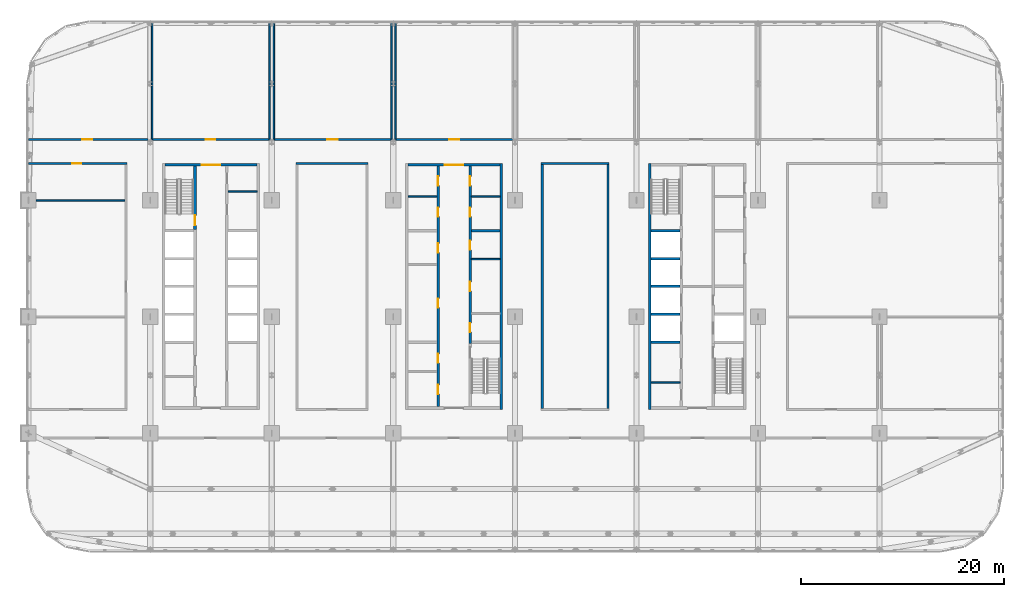
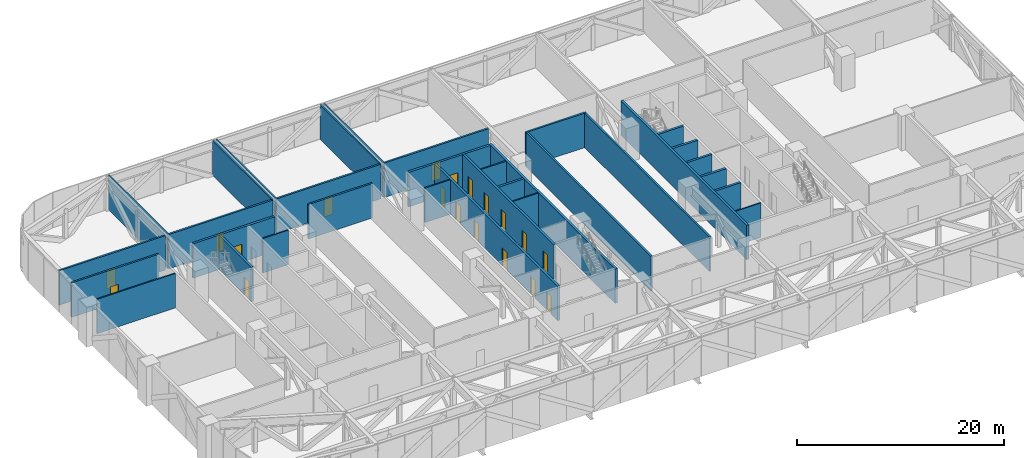
# One storey, part 11 of 26: 33 walls, 19 doors, 19 openings.
"""IFC4 building model written with IfcOpenShell, lengths in metres."""

from ifc_helpers import new_model, si_unit, direction, frame, frame_2d, origin, place, context, subcontext, project, spatial, rectangle, extrude, material, layer, layer_set, type_object, element, fill, save


model = new_model("IFC4")

# Units and contexts
model_context = context("Model", 3, precision=1e-05, world=origin(), true_north=direction((0.0, 1.0)))
body_context = subcontext(model_context, "Body", "Model", "MODEL_VIEW")
ifc_project = project(units=[si_unit("LENGTHUNIT", "METRE"), si_unit("AREAUNIT", "SQUARE_METRE"), si_unit("VOLUMEUNIT", "CUBIC_METRE"), si_unit("PLANEANGLEUNIT", "RADIAN"), si_unit("MASSUNIT", "GRAM", prefix="KILO")], contexts=[model_context])

# Site, building, storey
site_placement = place(None, origin())
site = spatial("IfcSite", under=ifc_project, at=site_placement, CompositionType="ELEMENT")
building_placement = place(site_placement, origin())
building = spatial("IfcBuilding", under=site, at=building_placement, Name="Mahtab Terrace Research Tower", CompositionType="ELEMENT")
storey_placement = place(building_placement, frame((0.0, 0.0, 80.39990234375)))
storey = spatial("IfcBuildingStorey", under=building, at=storey_placement, Name="L18", CompositionType="ELEMENT", Elevation=80.39990234375)

# Walls
ifc_material_1 = material(Name="Gypsum board partition")
ifc_layer_1 = layer(ifc_material_1, 0.14990234375)
ifc_layer_set_1 = layer_set([ifc_layer_1], Name="Core partition 150")
wall_type_1 = type_object("IfcWallType", Name="Core partition 150", PredefinedType="PARTITIONING", material=ifc_layer_set_1)
for number, where, z_axis, x_axis, name in (
    (1, (-22.300048828125, 12.35498046875, 0.0), (0.0, 0.0, 1.0), (1.0, 0.0, 0.0), "Core wall A pEN936"),
    (2, (1.699951171875, 5.6875, 0.0), (0.0, 0.0, 1.0), (1.0, 0.0, 0.0), "Core wall B pEL269"),
    (3, (-4.550048828125, 11.875, 0.0), (0.0, 0.0, 1.0), (1.0, 0.0, 0.0), "Core wall B pWN888"),
    (4, (1.699951171875, 11.875, 0.0), (0.0, 0.0, 1.0), (1.0, 0.0, 0.0), "Core wall B pEN888"),
    (5, (19.449951171875, -6.47509765625, 0.0), (0.0, 0.0, 1.0), (1.0, 0.0, 0.0), "Core wall C pWS-948"),
):
    element("IfcWall", number, at=place(storey_placement, frame(where, z_axis=z_axis, x_axis=x_axis)), inside=storey, type_object=wall_type_1, Name=name, PredefinedType="PARTITIONING", context=body_context, shape_type="SweptSolid", body=[
        extrude(rectangle(XDim=2.85009765625, YDim=0.14990234375, at=frame_2d((1.425048828125, 0.0))), origin(), (0.0, 0.0, 1.0), 4.06005859375),
    ])

# Wall, opening, door
ifc_material_2 = material(Name="Concrete C70/85", Category="concrete")
ifc_layer_2 = layer(ifc_material_2, 0.25)
ifc_layer_set_2 = layer_set([ifc_layer_2], Name="Core wall 250")
wall_type_2 = type_object("IfcWallType", Name="Core wall 250", PredefinedType="SOLIDWALL", material=ifc_layer_set_2)
wall_1_placement = place(storey_placement, frame((-28.550048828125, 15.0, 0.0), z_axis=(0.0, 0.0, 1.0), x_axis=(1.0, 0.0, 0.0)))
wall_1 = element("IfcWall", 6, at=wall_1_placement, inside=storey, type_object=wall_type_2, Name="Core wall A endN", PredefinedType="SOLIDWALL", context=body_context, shape_type="SweptSolid", body=[
    extrude(rectangle(XDim=9.10009765625, YDim=0.25, at=frame_2d((4.550048828125, 0.0))), origin(), (0.0, 0.0, 1.0), 4.06005859375),
])
opening_1_placement = place(wall_1_placement, frame((3.64990234375, 0.0, 0.0)))
opening_1 = element("IfcOpeningElement", 7, at=opening_1_placement, cuts=wall_1, Name="Opening A-N1", PredefinedType="OPENING", context=body_context, shape_type="SweptSolid", body=[
    extrude(rectangle(XDim=1.800048828125, YDim=2.10009765625, at=frame_2d((0.89990234375, 1.050048828125))), frame((0.0, 0.135009765625, 0.0), z_axis=(0.0, -1.0, 0.0), x_axis=(1.0, 0.0, 0.0)), (0.0, 0.0, 1.0), 0.27001953125),
])
ifc_material_3 = material(Name="Steel fire door", Category="steel")
door_type_1 = type_object("IfcDoorType", Name="Lobby double door 1800x2100 1 HR", OperationType="DOUBLE_DOOR_SINGLE_SWING", PredefinedType="DOOR", material=ifc_material_3)
door_1_placement = place(opening_1_placement, origin())
door_1 = element("IfcDoor", 8, at=door_1_placement, inside=storey, type_object=door_type_1, Name="Core entrance door A N", OperationType="DOUBLE_DOOR_SINGLE_SWING", OverallHeight=2.10009765625, OverallWidth=1.800048828125, PredefinedType="DOOR", context=body_context, shape_type="SweptSolid", body=[
    extrude(rectangle(XDim=1.800048828125, YDim=2.10009765625, at=frame_2d((0.89990234375, 1.050048828125))), frame((0.0, 0.02490234375, 0.0), z_axis=(0.0, -1.0, 0.0), x_axis=(1.0, 0.0, 0.0)), (0.0, 0.0, 1.0), 0.050048828125),
])
fill(opening_1, door_1)

wall_2_placement = place(storey_placement, frame((-25.574951171875, 14.875, 0.0), z_axis=(0.0, 0.0, 1.0), x_axis=(0.0, -1.0, 0.0)))
wall_2 = element("IfcWall", 9, at=wall_2_placement, inside=storey, type_object=wall_type_2, Name="Core wall A innerWN", PredefinedType="SOLIDWALL", context=body_context, shape_type="SweptSolid", body=[
    extrude(rectangle(XDim=6.25, YDim=0.25, at=frame_2d((3.125, 0.0))), origin(), (0.0, 0.0, 1.0), 4.06005859375),
])
opening_2_placement = place(wall_2_placement, frame((4.85009765625, 0.0, 0.0)))
opening_2 = element("IfcOpeningElement", 10, at=opening_2_placement, cuts=wall_2, Name="Opening A-ST1", PredefinedType="OPENING", context=body_context, shape_type="SweptSolid", body=[
    extrude(rectangle(XDim=1.0, YDim=2.10009765625, at=frame_2d((0.5, 1.050048828125))), frame((0.0, 0.135009765625, 0.0), z_axis=(0.0, -1.0, 0.0), x_axis=(1.0, 0.0, 0.0)), (0.0, 0.0, 1.0), 0.27001953125),
])
door_type_2 = type_object("IfcDoorType", Name="Stair door 1000x2100 1.5 HR", OperationType="NOTDEFINED", PredefinedType="DOOR", material=ifc_material_3)
door_2_placement = place(opening_2_placement, origin())
door_2 = element("IfcDoor", 11, at=door_2_placement, inside=storey, type_object=door_type_2, Name="Stair door ST1 L18", OperationType="SINGLE_SWING_RIGHT", OverallHeight=2.10009765625, OverallWidth=1.0, PredefinedType="DOOR", context=body_context, shape_type="SweptSolid", body=[
    extrude(rectangle(XDim=1.0, YDim=2.10009765625, at=frame_2d((0.5, 1.050048828125))), frame((0.0, 0.02490234375, 0.0), z_axis=(0.0, -1.0, 0.0), x_axis=(1.0, 0.0, 0.0)), (0.0, 0.0, 1.0), 0.050048828125),
])
fill(opening_2, door_2)

# Wall
wall_3_placement = place(storey_placement, frame((4.675048828125, -9.125, 0.0), z_axis=(0.0, 0.0, 1.0), x_axis=(0.0, 1.0, 0.0)))
element("IfcWall", 12, at=wall_3_placement, inside=storey, type_object=wall_type_2, Name="Core wall B outerE", PredefinedType="SOLIDWALL", context=body_context, shape_type="SweptSolid", body=[
    extrude(rectangle(XDim=24.25, YDim=0.25, at=frame_2d((12.125, 0.0))), origin(), (0.0, 0.0, 1.0), 4.06005859375),
])

# Wall, opening, door
wall_4_placement = place(storey_placement, frame((-4.550048828125, 15.0, 0.0), z_axis=(0.0, 0.0, 1.0), x_axis=(1.0, 0.0, 0.0)))
wall_4 = element("IfcWall", 13, at=wall_4_placement, inside=storey, type_object=wall_type_2, Name="Core wall B endN", PredefinedType="SOLIDWALL", context=body_context, shape_type="SweptSolid", body=[
    extrude(rectangle(XDim=9.10009765625, YDim=0.25, at=frame_2d((4.550048828125, 0.0))), origin(), (0.0, 0.0, 1.0), 4.06005859375),
])
opening_3_placement = place(wall_4_placement, frame((3.64990234375, 0.0, 0.0)))
opening_3 = element("IfcOpeningElement", 14, at=opening_3_placement, cuts=wall_4, Name="Opening B-N1", PredefinedType="OPENING", context=body_context, shape_type="SweptSolid", body=[
    extrude(rectangle(XDim=1.800048828125, YDim=2.10009765625, at=frame_2d((0.89990234375, 1.050048828125))), frame((0.0, 0.135009765625, 0.0), z_axis=(0.0, -1.0, 0.0), x_axis=(1.0, 0.0, 0.0)), (0.0, 0.0, 1.0), 0.27001953125),
])
door_3_placement = place(opening_3_placement, origin())
door_3 = element("IfcDoor", 15, at=door_3_placement, inside=storey, type_object=door_type_1, Name="Core entrance door B N", OperationType="DOUBLE_DOOR_SINGLE_SWING", OverallHeight=2.10009765625, OverallWidth=1.800048828125, PredefinedType="DOOR", context=body_context, shape_type="SweptSolid", body=[
    extrude(rectangle(XDim=1.800048828125, YDim=2.10009765625, at=frame_2d((0.89990234375, 1.050048828125))), frame((0.0, 0.02490234375, 0.0), z_axis=(0.0, -1.0, 0.0), x_axis=(1.0, 0.0, 0.0)), (0.0, 0.0, 1.0), 0.050048828125),
])
fill(opening_3, door_3)

# Wall, openings, doors
wall_5_placement = place(storey_placement, frame((-1.574951171875, -8.875, 0.0), z_axis=(0.0, 0.0, 1.0), x_axis=(0.0, 1.0, 0.0)))
wall_5 = element("IfcWall", 16, at=wall_5_placement, inside=storey, type_object=wall_type_2, Name="Core wall B innerWSLN", PredefinedType="SOLIDWALL", context=body_context, shape_type="SweptSolid", body=[
    extrude(rectangle(XDim=23.75, YDim=0.25, at=frame_2d((11.875, 0.0))), origin(), (0.0, 0.0, 1.0), 4.06005859375),
])
opening_4_placement = place(wall_5_placement, frame((9.77490234375, 0.0, 0.0)))
opening_4 = element("IfcOpeningElement", 17, at=opening_4_placement, cuts=wall_5, Name="Opening B-R1", PredefinedType="OPENING", context=body_context, shape_type="SweptSolid", body=[
    extrude(rectangle(XDim=0.89990234375, YDim=2.10009765625, at=frame_2d((0.449951171875, 1.050048828125))), frame((0.0, 0.135009765625, 0.0), z_axis=(0.0, -1.0, 0.0), x_axis=(1.0, 0.0, 0.0)), (0.0, 0.0, 1.0), 0.27001953125),
])
opening_5_placement = place(wall_5_placement, frame((15.22509765625, 0.0, 0.0)))
opening_5 = element("IfcOpeningElement", 18, at=opening_5_placement, cuts=wall_5, Name="Opening B-R2", PredefinedType="OPENING", context=body_context, shape_type="SweptSolid", body=[
    extrude(rectangle(XDim=0.89990234375, YDim=2.10009765625, at=frame_2d((0.449951171875, 1.050048828125))), frame((0.0, 0.135009765625, 0.0), z_axis=(0.0, -1.0, 0.0), x_axis=(1.0, 0.0, 0.0)), (0.0, 0.0, 1.0), 0.27001953125),
])
opening_6_placement = place(wall_5_placement, frame((1.25244140625, 0.0, 0.0)))
opening_6 = element("IfcOpeningElement", 19, at=opening_6_placement, cuts=wall_5, Name="Opening B-R6", PredefinedType="OPENING", context=body_context, shape_type="SweptSolid", body=[
    extrude(rectangle(XDim=0.89990234375, YDim=2.10009765625, at=frame_2d((0.449951171875, 1.050048828125))), frame((0.0, 0.135009765625, 0.0), z_axis=(0.0, -1.0, 0.0), x_axis=(1.0, 0.0, 0.0)), (0.0, 0.0, 1.0), 0.27001953125),
])
opening_7_placement = place(wall_5_placement, frame((4.327392578125, 0.0, 0.0)))
opening_7 = element("IfcOpeningElement", 20, at=opening_7_placement, cuts=wall_5, Name="Opening B-R7", PredefinedType="OPENING", context=body_context, shape_type="SweptSolid", body=[
    extrude(rectangle(XDim=0.89990234375, YDim=2.10009765625, at=frame_2d((0.449951171875, 1.050048828125))), frame((0.0, 0.135009765625, 0.0), z_axis=(0.0, -1.0, 0.0), x_axis=(1.0, 0.0, 0.0)), (0.0, 0.0, 1.0), 0.27001953125),
])
opening_8_placement = place(wall_5_placement, frame((18.762451171875, 0.0, 0.0)))
opening_8 = element("IfcOpeningElement", 21, at=opening_8_placement, cuts=wall_5, Name="Opening B-R8", PredefinedType="OPENING", context=body_context, shape_type="SweptSolid", body=[
    extrude(rectangle(XDim=0.89990234375, YDim=2.10009765625, at=frame_2d((0.449951171875, 1.050048828125))), frame((0.0, 0.135009765625, 0.0), z_axis=(0.0, -1.0, 0.0), x_axis=(1.0, 0.0, 0.0)), (0.0, 0.0, 1.0), 0.27001953125),
])
opening_9_placement = place(wall_5_placement, frame((21.83740234375, 0.0, 0.0)))
opening_9 = element("IfcOpeningElement", 22, at=opening_9_placement, cuts=wall_5, Name="Opening B-R9", PredefinedType="OPENING", context=body_context, shape_type="SweptSolid", body=[
    extrude(rectangle(XDim=0.89990234375, YDim=2.10009765625, at=frame_2d((0.449951171875, 1.050048828125))), frame((0.0, 0.135009765625, 0.0), z_axis=(0.0, -1.0, 0.0), x_axis=(1.0, 0.0, 0.0)), (0.0, 0.0, 1.0), 0.27001953125),
])
door_type_3 = type_object("IfcDoorType", Name="Room door 900x2100 1 HR", OperationType="NOTDEFINED", PredefinedType="DOOR", material=ifc_material_3)
door_4_placement = place(opening_4_placement, origin())
door_4 = element("IfcDoor", 23, at=door_4_placement, inside=storey, type_object=door_type_3, Name="Chemical store door", OperationType="SINGLE_SWING_LEFT", OverallHeight=2.10009765625, OverallWidth=0.89990234375, PredefinedType="DOOR", context=body_context, shape_type="SweptSolid", body=[
    extrude(rectangle(XDim=0.89990234375, YDim=2.10009765625, at=frame_2d((0.449951171875, 1.050048828125))), frame((0.0, 0.02490234375, 0.0), z_axis=(0.0, -1.0, 0.0), x_axis=(1.0, 0.0, 0.0)), (0.0, 0.0, 1.0), 0.050048828125),
])
fill(opening_4, door_4)
door_5_placement = place(opening_5_placement, origin())
door_5 = element("IfcDoor", 24, at=door_5_placement, inside=storey, type_object=door_type_3, Name="Waste room door", OperationType="SINGLE_SWING_RIGHT", OverallHeight=2.10009765625, OverallWidth=0.89990234375, PredefinedType="DOOR", context=body_context, shape_type="SweptSolid", body=[
    extrude(rectangle(XDim=0.89990234375, YDim=2.10009765625, at=frame_2d((0.449951171875, 1.050048828125))), frame((0.0, 0.02490234375, 0.0), z_axis=(0.0, -1.0, 0.0), x_axis=(1.0, 0.0, 0.0)), (0.0, 0.0, 1.0), 0.050048828125),
])
fill(opening_5, door_5)
door_6_placement = place(opening_6_placement, origin())
door_6 = element("IfcDoor", 25, at=door_6_placement, inside=storey, type_object=door_type_3, Name="Pantry door", OperationType="SINGLE_SWING_RIGHT", OverallHeight=2.10009765625, OverallWidth=0.89990234375, PredefinedType="DOOR", context=body_context, shape_type="SweptSolid", body=[
    extrude(rectangle(XDim=0.89990234375, YDim=2.10009765625, at=frame_2d((0.449951171875, 1.050048828125))), frame((0.0, 0.02490234375, 0.0), z_axis=(0.0, -1.0, 0.0), x_axis=(1.0, 0.0, 0.0)), (0.0, 0.0, 1.0), 0.050048828125),
])
fill(opening_6, door_6)
door_7_placement = place(opening_7_placement, origin())
door_7 = element("IfcDoor", 26, at=door_7_placement, inside=storey, type_object=door_type_3, Name="Linen store door", OperationType="SINGLE_SWING_LEFT", OverallHeight=2.10009765625, OverallWidth=0.89990234375, PredefinedType="DOOR", context=body_context, shape_type="SweptSolid", body=[
    extrude(rectangle(XDim=0.89990234375, YDim=2.10009765625, at=frame_2d((0.449951171875, 1.050048828125))), frame((0.0, 0.02490234375, 0.0), z_axis=(0.0, -1.0, 0.0), x_axis=(1.0, 0.0, 0.0)), (0.0, 0.0, 1.0), 0.050048828125),
])
fill(opening_7, door_7)
door_8_placement = place(opening_8_placement, origin())
door_8 = element("IfcDoor", 27, at=door_8_placement, inside=storey, type_object=door_type_3, Name="Housekeeping store door", OperationType="SINGLE_SWING_RIGHT", OverallHeight=2.10009765625, OverallWidth=0.89990234375, PredefinedType="DOOR", context=body_context, shape_type="SweptSolid", body=[
    extrude(rectangle(XDim=0.89990234375, YDim=2.10009765625, at=frame_2d((0.449951171875, 1.050048828125))), frame((0.0, 0.02490234375, 0.0), z_axis=(0.0, -1.0, 0.0), x_axis=(1.0, 0.0, 0.0)), (0.0, 0.0, 1.0), 0.050048828125),
])
fill(opening_8, door_8)
door_9_placement = place(opening_9_placement, origin())
door_9 = element("IfcDoor", 28, at=door_9_placement, inside=storey, type_object=door_type_3, Name="Electrical riser room door", OperationType="SINGLE_SWING_LEFT", OverallHeight=2.10009765625, OverallWidth=0.89990234375, PredefinedType="DOOR", context=body_context, shape_type="SweptSolid", body=[
    extrude(rectangle(XDim=0.89990234375, YDim=2.10009765625, at=frame_2d((0.449951171875, 1.050048828125))), frame((0.0, 0.02490234375, 0.0), z_axis=(0.0, -1.0, 0.0), x_axis=(1.0, 0.0, 0.0)), (0.0, 0.0, 1.0), 0.050048828125),
])
fill(opening_9, door_9)

wall_6_placement = place(storey_placement, frame((1.574951171875, 14.875, 0.0), z_axis=(0.0, 0.0, 1.0), x_axis=(0.0, -1.0, 0.0)))
wall_6 = element("IfcWall", 29, at=wall_6_placement, inside=storey, type_object=wall_type_2, Name="Core wall B innerELN", PredefinedType="SOLIDWALL", context=body_context, shape_type="SweptSolid", body=[
    extrude(rectangle(XDim=17.5, YDim=0.25, at=frame_2d((8.75, 0.0))), origin(), (0.0, 0.0, 1.0), 4.06005859375),
])
opening_10_placement = place(wall_6_placement, frame((15.493896484375, 0.0, 0.0)))
opening_10 = element("IfcOpeningElement", 30, at=opening_10_placement, cuts=wall_6, Name="Opening B-R3", PredefinedType="OPENING", context=body_context, shape_type="SweptSolid", body=[
    extrude(rectangle(XDim=0.89990234375, YDim=2.10009765625, at=frame_2d((0.449951171875, 1.050048828125))), frame((0.0, 0.135009765625, 0.0), z_axis=(0.0, -1.0, 0.0), x_axis=(1.0, 0.0, 0.0)), (0.0, 0.0, 1.0), 0.27001953125),
])
opening_11_placement = place(wall_6_placement, frame((11.425048828125, 0.0, 0.0)))
opening_11 = element("IfcOpeningElement", 31, at=opening_11_placement, cuts=wall_6, Name="Opening B-R4", PredefinedType="OPENING", context=body_context, shape_type="SweptSolid", body=[
    extrude(rectangle(XDim=0.89990234375, YDim=2.10009765625, at=frame_2d((0.449951171875, 1.050048828125))), frame((0.0, 0.135009765625, 0.0), z_axis=(0.0, -1.0, 0.0), x_axis=(1.0, 0.0, 0.0)), (0.0, 0.0, 1.0), 0.27001953125),
])
opening_12_placement = place(wall_6_placement, frame((7.356201171875, 0.0, 0.0)))
opening_12 = element("IfcOpeningElement", 32, at=opening_12_placement, cuts=wall_6, Name="Opening B-R5", PredefinedType="OPENING", context=body_context, shape_type="SweptSolid", body=[
    extrude(rectangle(XDim=0.89990234375, YDim=2.10009765625, at=frame_2d((0.449951171875, 1.050048828125))), frame((0.0, 0.135009765625, 0.0), z_axis=(0.0, -1.0, 0.0), x_axis=(1.0, 0.0, 0.0)), (0.0, 0.0, 1.0), 0.27001953125),
])
opening_13_placement = place(wall_6_placement, frame((4.08740234375, 0.0, 0.0)))
opening_13 = element("IfcOpeningElement", 33, at=opening_13_placement, cuts=wall_6, Name="Opening B-R10", PredefinedType="OPENING", context=body_context, shape_type="SweptSolid", body=[
    extrude(rectangle(XDim=0.89990234375, YDim=2.10009765625, at=frame_2d((0.449951171875, 1.050048828125))), frame((0.0, 0.135009765625, 0.0), z_axis=(0.0, -1.0, 0.0), x_axis=(1.0, 0.0, 0.0)), (0.0, 0.0, 1.0), 0.27001953125),
])
opening_14_placement = place(wall_6_placement, frame((1.012451171875, 0.0, 0.0)))
opening_14 = element("IfcOpeningElement", 34, at=opening_14_placement, cuts=wall_6, Name="Opening B-R11", PredefinedType="OPENING", context=body_context, shape_type="SweptSolid", body=[
    extrude(rectangle(XDim=0.89990234375, YDim=2.10009765625, at=frame_2d((0.449951171875, 1.050048828125))), frame((0.0, 0.135009765625, 0.0), z_axis=(0.0, -1.0, 0.0), x_axis=(1.0, 0.0, 0.0)), (0.0, 0.0, 1.0), 0.27001953125),
])
door_10_placement = place(opening_10_placement, origin())
door_10 = element("IfcDoor", 35, at=door_10_placement, inside=storey, type_object=door_type_3, Name="Comms room door", OperationType="SINGLE_SWING_LEFT", OverallHeight=2.10009765625, OverallWidth=0.89990234375, PredefinedType="DOOR", context=body_context, shape_type="SweptSolid", body=[
    extrude(rectangle(XDim=0.89990234375, YDim=2.10009765625, at=frame_2d((0.449951171875, 1.050048828125))), frame((0.0, 0.02490234375, 0.0), z_axis=(0.0, -1.0, 0.0), x_axis=(1.0, 0.0, 0.0)), (0.0, 0.0, 1.0), 0.050048828125),
])
fill(opening_10, door_10)
door_11_placement = place(opening_11_placement, origin())
door_11 = element("IfcDoor", 36, at=door_11_placement, inside=storey, type_object=door_type_3, Name="Meeting alcove door", OperationType="SINGLE_SWING_RIGHT", OverallHeight=2.10009765625, OverallWidth=0.89990234375, PredefinedType="DOOR", context=body_context, shape_type="SweptSolid", body=[
    extrude(rectangle(XDim=0.89990234375, YDim=2.10009765625, at=frame_2d((0.449951171875, 1.050048828125))), frame((0.0, 0.02490234375, 0.0), z_axis=(0.0, -1.0, 0.0), x_axis=(1.0, 0.0, 0.0)), (0.0, 0.0, 1.0), 0.050048828125),
])
fill(opening_11, door_11)
door_12_placement = place(opening_12_placement, origin())
door_12 = element("IfcDoor", 37, at=door_12_placement, inside=storey, type_object=door_type_3, Name="Linen store door", OperationType="SINGLE_SWING_LEFT", OverallHeight=2.10009765625, OverallWidth=0.89990234375, PredefinedType="DOOR", context=body_context, shape_type="SweptSolid", body=[
    extrude(rectangle(XDim=0.89990234375, YDim=2.10009765625, at=frame_2d((0.449951171875, 1.050048828125))), frame((0.0, 0.02490234375, 0.0), z_axis=(0.0, -1.0, 0.0), x_axis=(1.0, 0.0, 0.0)), (0.0, 0.0, 1.0), 0.050048828125),
])
fill(opening_12, door_12)
door_13_placement = place(opening_13_placement, origin())
door_13 = element("IfcDoor", 38, at=door_13_placement, inside=storey, type_object=door_type_3, Name="Staff WC door", OperationType="SINGLE_SWING_RIGHT", OverallHeight=2.10009765625, OverallWidth=0.89990234375, PredefinedType="DOOR", context=body_context, shape_type="SweptSolid", body=[
    extrude(rectangle(XDim=0.89990234375, YDim=2.10009765625, at=frame_2d((0.449951171875, 1.050048828125))), frame((0.0, 0.02490234375, 0.0), z_axis=(0.0, -1.0, 0.0), x_axis=(1.0, 0.0, 0.0)), (0.0, 0.0, 1.0), 0.050048828125),
])
fill(opening_13, door_13)
door_14_placement = place(opening_14_placement, origin())
door_14 = element("IfcDoor", 39, at=door_14_placement, inside=storey, type_object=door_type_3, Name="Accessible WC door", OperationType="SINGLE_SWING_LEFT", OverallHeight=2.10009765625, OverallWidth=0.89990234375, PredefinedType="DOOR", context=body_context, shape_type="SweptSolid", body=[
    extrude(rectangle(XDim=0.89990234375, YDim=2.10009765625, at=frame_2d((0.449951171875, 1.050048828125))), frame((0.0, 0.02490234375, 0.0), z_axis=(0.0, -1.0, 0.0), x_axis=(1.0, 0.0, 0.0)), (0.0, 0.0, 1.0), 0.050048828125),
])
fill(opening_14, door_14)

# Walls
wall_7_placement = place(storey_placement, frame((1.699951171875, 8.5, 0.0), z_axis=(0.0, 0.0, 1.0), x_axis=(1.0, 0.0, 0.0)))
element("IfcWall", 40, at=wall_7_placement, inside=storey, type_object=wall_type_2, Name="Core wall B divE4", PredefinedType="SOLIDWALL", context=body_context, shape_type="SweptSolid", body=[
    extrude(rectangle(XDim=2.85009765625, YDim=0.25, at=frame_2d((1.425048828125, 0.0))), origin(), (0.0, 0.0, 1.0), 4.06005859375),
])
wall_8_placement = place(storey_placement, frame((19.324951171875, 15.125, 0.0), z_axis=(0.0, 0.0, 1.0), x_axis=(0.0, -1.0, 0.0)))
element("IfcWall", 41, at=wall_8_placement, inside=storey, type_object=wall_type_2, Name="Core wall C outerW", PredefinedType="SOLIDWALL", context=body_context, shape_type="SweptSolid", body=[
    extrude(rectangle(XDim=24.25, YDim=0.25, at=frame_2d((12.125, 0.0))), origin(), (0.0, 0.0, 1.0), 4.06005859375),
])
for number, where, z_axis, x_axis, name in (
    (42, (19.449951171875, -2.5, 0.0), (0.0, 0.0, 1.0), (1.0, 0.0, 0.0), "Core wall C divW0"),
    (43, (19.449951171875, 0.25, 0.0), (0.0, 0.0, 1.0), (1.0, 0.0, 0.0), "Core wall C divW1"),
    (44, (19.449951171875, 3.0, 0.0), (0.0, 0.0, 1.0), (1.0, 0.0, 0.0), "Core wall C divW2"),
    (45, (19.449951171875, 5.75, 0.0), (0.0, 0.0, 1.0), (1.0, 0.0, 0.0), "Core wall C divW3"),
    (46, (19.449951171875, 8.5, 0.0), (0.0, 0.0, 1.0), (1.0, 0.0, 0.0), "Core wall C divW4"),
):
    element("IfcWall", number, at=place(storey_placement, frame(where, z_axis=z_axis, x_axis=x_axis)), inside=storey, type_object=wall_type_2, Name=name, PredefinedType="SOLIDWALL", context=body_context, shape_type="SweptSolid", body=[
        extrude(rectangle(XDim=2.85009765625, YDim=0.25, at=frame_2d((1.425048828125, 0.0))), origin(), (0.0, 0.0, 1.0), 4.06005859375),
    ])

# Wall, opening, door
ifc_material_4 = material(Name="Gypsum board corridor wall on steel studs", Category="steel")
ifc_layer_3 = layer(ifc_material_4, 0.199951171875)
ifc_layer_set_3 = layer_set([ifc_layer_3], Name="WALL CORRIDOR 200")
wall_type_3 = type_object("IfcWallType", Name="WALL CORRIDOR 200", PredefinedType="PARTITIONING", material=ifc_layer_set_3)
wall_9_placement = place(storey_placement, frame((-42.0, 15.125, 0.0), z_axis=(0.0, 0.0, 1.0), x_axis=(1.0, 0.0, 0.0)))
wall_9 = element("IfcWall", 47, at=wall_9_placement, inside=storey, type_object=wall_type_3, Name="L18-W019", PredefinedType="PARTITIONING", context=body_context, shape_type="SweptSolid", body=[
    extrude(rectangle(XDim=9.699951171875, YDim=0.199951171875, at=frame_2d((4.85009765625, 0.0))), origin(), (0.0, 0.0, 1.0), 4.06005859375),
])
opening_15_placement = place(wall_9_placement, frame((4.300048828125, 0.0, 0.0)))
opening_15 = element("IfcOpeningElement", 48, at=opening_15_placement, cuts=wall_9, Name="Opening L18-116", PredefinedType="OPENING", context=body_context, shape_type="SweptSolid", body=[
    extrude(rectangle(XDim=0.89990234375, YDim=2.10009765625, at=frame_2d((0.449951171875, 1.050048828125))), frame((0.0, 0.10986328125, 0.0), z_axis=(0.0, -1.0, 0.0), x_axis=(1.0, 0.0, 0.0)), (0.0, 0.0, 1.0), 0.219970703125),
])
ifc_material_5 = material(Name="Timber door leaf in steel frame", Category="steel")
door_type_4 = type_object("IfcDoorType", Name="DOOR 0900X2100 FD30S", OperationType="SINGLE_SWING_LEFT", PredefinedType="DOOR", material=ifc_material_5)
door_15_placement = place(opening_15_placement, origin())
door_15 = element("IfcDoor", 49, at=door_15_placement, inside=storey, type_object=door_type_4, Name="Door L18-116", OperationType="SINGLE_SWING_LEFT", OverallHeight=2.10009765625, OverallWidth=0.89990234375, PredefinedType="DOOR", context=body_context, shape_type="SweptSolid", body=[
    extrude(rectangle(XDim=0.89990234375, YDim=2.10009765625, at=frame_2d((0.449951171875, 1.050048828125))), frame((0.0, 0.02490234375, 0.0), z_axis=(0.0, -1.0, 0.0), x_axis=(1.0, 0.0, 0.0)), (0.0, 0.0, 1.0), 0.050048828125),
])
fill(opening_15, door_15)

# Walls
wall_10_placement = place(storey_placement, frame((-15.60009765625, 15.125, 0.0), z_axis=(0.0, 0.0, 1.0), x_axis=(1.0, 0.0, 0.0)))
element("IfcWall", 50, at=wall_10_placement, inside=storey, type_object=wall_type_3, Name="L18-W020", PredefinedType="PARTITIONING", context=body_context, shape_type="SweptSolid", body=[
    extrude(rectangle(XDim=7.10009765625, YDim=0.199951171875, at=frame_2d((3.550048828125, 0.0))), origin(), (0.0, 0.0, 1.0), 4.06005859375),
])
wall_11_placement = place(storey_placement, frame((8.60009765625, 15.125, 0.0), z_axis=(0.0, 0.0, 1.0), x_axis=(1.0, 0.0, 0.0)))
element("IfcWall", 51, at=wall_11_placement, inside=storey, type_object=wall_type_3, Name="L18-W021", PredefinedType="PARTITIONING", context=body_context, shape_type="SweptSolid", body=[
    extrude(rectangle(XDim=6.699951171875, YDim=0.199951171875, at=frame_2d((3.35009765625, 0.0))), origin(), (0.0, 0.0, 1.0), 4.06005859375),
])

# Wall, opening, door
wall_12_placement = place(storey_placement, frame((-42.0, 17.5, 0.0), z_axis=(0.0, 0.0, 1.0), x_axis=(1.0, 0.0, 0.0)))
wall_12 = element("IfcWall", 52, at=wall_12_placement, inside=storey, type_object=wall_type_3, Name="L18-W024", PredefinedType="PARTITIONING", context=body_context, shape_type="SweptSolid", body=[
    extrude(rectangle(XDim=11.800048828125, YDim=0.199951171875, at=frame_2d((5.89990234375, 0.0))), origin(), (0.0, 0.0, 1.0), 4.06005859375),
])
opening_16_placement = place(wall_12_placement, frame((5.300048828125, 0.0, 0.0)))
opening_16 = element("IfcOpeningElement", 53, at=opening_16_placement, cuts=wall_12, Name="Opening L18-117", PredefinedType="OPENING", context=body_context, shape_type="SweptSolid", body=[
    extrude(rectangle(XDim=1.0, YDim=2.10009765625, at=frame_2d((0.5, 1.050048828125))), frame((0.0, 0.10986328125, 0.0), z_axis=(0.0, -1.0, 0.0), x_axis=(1.0, 0.0, 0.0)), (0.0, 0.0, 1.0), 0.219970703125),
])
door_type_5 = type_object("IfcDoorType", Name="DOOR 1000X2100 FD30S", OperationType="SINGLE_SWING_LEFT", PredefinedType="DOOR", material=ifc_material_5)
door_16_placement = place(opening_16_placement, origin())
door_16 = element("IfcDoor", 54, at=door_16_placement, inside=storey, type_object=door_type_5, Name="Door L18-117", OperationType="SINGLE_SWING_RIGHT", OverallHeight=2.10009765625, OverallWidth=1.0, PredefinedType="DOOR", context=body_context, shape_type="SweptSolid", body=[
    extrude(rectangle(XDim=1.0, YDim=2.10009765625, at=frame_2d((0.5, 1.050048828125))), frame((0.0, 0.02490234375, 0.0), z_axis=(0.0, -1.0, 0.0), x_axis=(1.0, 0.0, 0.0)), (0.0, 0.0, 1.0), 0.050048828125),
])
fill(opening_16, door_16)

wall_13_placement = place(storey_placement, frame((-29.800048828125, 17.5, 0.0), z_axis=(0.0, 0.0, 1.0), x_axis=(1.0, 0.0, 0.0)))
wall_13 = element("IfcWall", 55, at=wall_13_placement, inside=storey, type_object=wall_type_3, Name="L18-W025", PredefinedType="PARTITIONING", context=body_context, shape_type="SweptSolid", body=[
    extrude(rectangle(XDim=11.60009765625, YDim=0.199951171875, at=frame_2d((5.800048828125, 0.0))), origin(), (0.0, 0.0, 1.0), 4.06005859375),
])
opening_17_placement = place(wall_13_placement, frame((5.300048828125, 0.0, 0.0)))
opening_17 = element("IfcOpeningElement", 56, at=opening_17_placement, cuts=wall_13, Name="Opening L18-118", PredefinedType="OPENING", context=body_context, shape_type="SweptSolid", body=[
    extrude(rectangle(XDim=0.89990234375, YDim=2.10009765625, at=frame_2d((0.449951171875, 1.050048828125))), frame((0.0, 0.10986328125, 0.0), z_axis=(0.0, -1.0, 0.0), x_axis=(1.0, 0.0, 0.0)), (0.0, 0.0, 1.0), 0.219970703125),
])
door_17_placement = place(opening_17_placement, origin())
door_17 = element("IfcDoor", 57, at=door_17_placement, inside=storey, type_object=door_type_4, Name="Door L18-118", OperationType="SINGLE_SWING_LEFT", OverallHeight=2.10009765625, OverallWidth=0.89990234375, PredefinedType="DOOR", context=body_context, shape_type="SweptSolid", body=[
    extrude(rectangle(XDim=0.89990234375, YDim=2.10009765625, at=frame_2d((0.449951171875, 1.050048828125))), frame((0.0, 0.02490234375, 0.0), z_axis=(0.0, -1.0, 0.0), x_axis=(1.0, 0.0, 0.0)), (0.0, 0.0, 1.0), 0.050048828125),
])
fill(opening_17, door_17)

wall_14_placement = place(storey_placement, frame((-17.800048828125, 17.5, 0.0), z_axis=(0.0, 0.0, 1.0), x_axis=(1.0, 0.0, 0.0)))
wall_14 = element("IfcWall", 58, at=wall_14_placement, inside=storey, type_object=wall_type_3, Name="L18-W026", PredefinedType="PARTITIONING", context=body_context, shape_type="SweptSolid", body=[
    extrude(rectangle(XDim=11.60009765625, YDim=0.199951171875, at=frame_2d((5.800048828125, 0.0))), origin(), (0.0, 0.0, 1.0), 4.06005859375),
])
opening_18_placement = place(wall_14_placement, frame((5.300048828125, 0.0, 0.0)))
opening_18 = element("IfcOpeningElement", 59, at=opening_18_placement, cuts=wall_14, Name="Opening L18-119", PredefinedType="OPENING", context=body_context, shape_type="SweptSolid", body=[
    extrude(rectangle(XDim=1.0, YDim=2.10009765625, at=frame_2d((0.5, 1.050048828125))), frame((0.0, 0.10986328125, 0.0), z_axis=(0.0, -1.0, 0.0), x_axis=(1.0, 0.0, 0.0)), (0.0, 0.0, 1.0), 0.219970703125),
])
door_18_placement = place(opening_18_placement, origin())
door_18 = element("IfcDoor", 60, at=door_18_placement, inside=storey, type_object=door_type_5, Name="Door L18-119", OperationType="SINGLE_SWING_RIGHT", OverallHeight=2.10009765625, OverallWidth=1.0, PredefinedType="DOOR", context=body_context, shape_type="SweptSolid", body=[
    extrude(rectangle(XDim=1.0, YDim=2.10009765625, at=frame_2d((0.5, 1.050048828125))), frame((0.0, 0.02490234375, 0.0), z_axis=(0.0, -1.0, 0.0), x_axis=(1.0, 0.0, 0.0)), (0.0, 0.0, 1.0), 0.050048828125),
])
fill(opening_18, door_18)

wall_15_placement = place(storey_placement, frame((-5.800048828125, 17.5, 0.0), z_axis=(0.0, 0.0, 1.0), x_axis=(1.0, 0.0, 0.0)))
wall_15 = element("IfcWall", 61, at=wall_15_placement, inside=storey, type_object=wall_type_3, Name="L18-W027", PredefinedType="PARTITIONING", context=body_context, shape_type="SweptSolid", body=[
    extrude(rectangle(XDim=11.60009765625, YDim=0.199951171875, at=frame_2d((5.800048828125, 0.0))), origin(), (0.0, 0.0, 1.0), 4.06005859375),
])
opening_19_placement = place(wall_15_placement, frame((5.300048828125, 0.0, 0.0)))
opening_19 = element("IfcOpeningElement", 62, at=opening_19_placement, cuts=wall_15, Name="Opening L18-120", PredefinedType="OPENING", context=body_context, shape_type="SweptSolid", body=[
    extrude(rectangle(XDim=1.0, YDim=2.10009765625, at=frame_2d((0.5, 1.050048828125))), frame((0.0, 0.10986328125, 0.0), z_axis=(0.0, -1.0, 0.0), x_axis=(1.0, 0.0, 0.0)), (0.0, 0.0, 1.0), 0.219970703125),
])
door_19_placement = place(opening_19_placement, origin())
door_19 = element("IfcDoor", 63, at=door_19_placement, inside=storey, type_object=door_type_5, Name="Door L18-120", OperationType="SINGLE_SWING_LEFT", OverallHeight=2.10009765625, OverallWidth=1.0, PredefinedType="DOOR", context=body_context, shape_type="SweptSolid", body=[
    extrude(rectangle(XDim=1.0, YDim=2.10009765625, at=frame_2d((0.5, 1.050048828125))), frame((0.0, 0.02490234375, 0.0), z_axis=(0.0, -1.0, 0.0), x_axis=(1.0, 0.0, 0.0)), (0.0, 0.0, 1.0), 0.050048828125),
])
fill(opening_19, door_19)

# Walls
for number, where, z_axis, x_axis, name in (
    (64, (8.699951171875, -9.02490234375, 0.0), (0.0, 0.0, 1.0), (0.0, 1.0, 0.0), "L18-W042"),
    (65, (15.199951171875, -9.02490234375, 0.0), (0.0, 0.0, 1.0), (0.0, 1.0, 0.0), "L18-W043"),
):
    element("IfcWall", number, at=place(storey_placement, frame(where, z_axis=z_axis, x_axis=x_axis)), inside=storey, type_object=wall_type_3, Name=name, PredefinedType="PARTITIONING", context=body_context, shape_type="SweptSolid", body=[
        extrude(rectangle(XDim=24.0498046875, YDim=0.199951171875, at=frame_2d((12.02490234375, 0.0))), origin(), (0.0, 0.0, 1.0), 4.06005859375),
    ])
ifc_material_6 = material(Name="Gypsum board partition on steel studs", Category="steel")
ifc_layer_4 = layer(ifc_material_6, 0.14990234375)
ifc_layer_set_4 = layer_set([ifc_layer_4], Name="WALL PARTITION 150")
wall_type_4 = type_object("IfcWallType", Name="WALL PARTITION 150", PredefinedType="PARTITIONING", material=ifc_layer_set_4)
wall_16_placement = place(storey_placement, frame((-41.25, 11.5, 0.0), z_axis=(0.0, 0.0, 1.0), x_axis=(1.0, 0.0, 0.0)))
element("IfcWall", 66, at=wall_16_placement, inside=storey, type_object=wall_type_4, Name="L18-W017", PredefinedType="PARTITIONING", context=body_context, shape_type="SweptSolid", body=[
    extrude(rectangle(XDim=8.75, YDim=0.14990234375, at=frame_2d((4.375, 0.0))), origin(), (0.0, 0.0, 1.0), 4.06005859375),
])
for number, where, z_axis, x_axis, name in (
    (67, (-29.800048828125, 17.550048828125, 0.0), (0.0, 0.0, 1.0), (0.0, 1.0, 0.0), "L18-W033"),
    (68, (-18.199951171875, 17.550048828125, 0.0), (0.0, 0.0, 1.0), (0.0, 1.0, 0.0), "L18-W034"),
    (69, (-17.800048828125, 17.550048828125, 0.0), (0.0, 0.0, 1.0), (0.0, 1.0, 0.0), "L18-W035"),
    (70, (-6.199951171875, 17.550048828125, 0.0), (0.0, 0.0, 1.0), (0.0, 1.0, 0.0), "L18-W038"),
    (71, (-5.800048828125, 17.550048828125, 0.0), (0.0, 0.0, 1.0), (0.0, 1.0, 0.0), "L18-W039"),
):
    element("IfcWall", number, at=place(storey_placement, frame(where, z_axis=z_axis, x_axis=x_axis)), inside=storey, type_object=wall_type_4, Name=name, PredefinedType="PARTITIONING", context=body_context, shape_type="SweptSolid", body=[
        extrude(rectangle(XDim=11.449951171875, YDim=0.14990234375, at=frame_2d((5.72509765625, 0.0))), origin(), (0.0, 0.0, 1.0), 4.06005859375),
    ])

save(model, "model.ifc")
